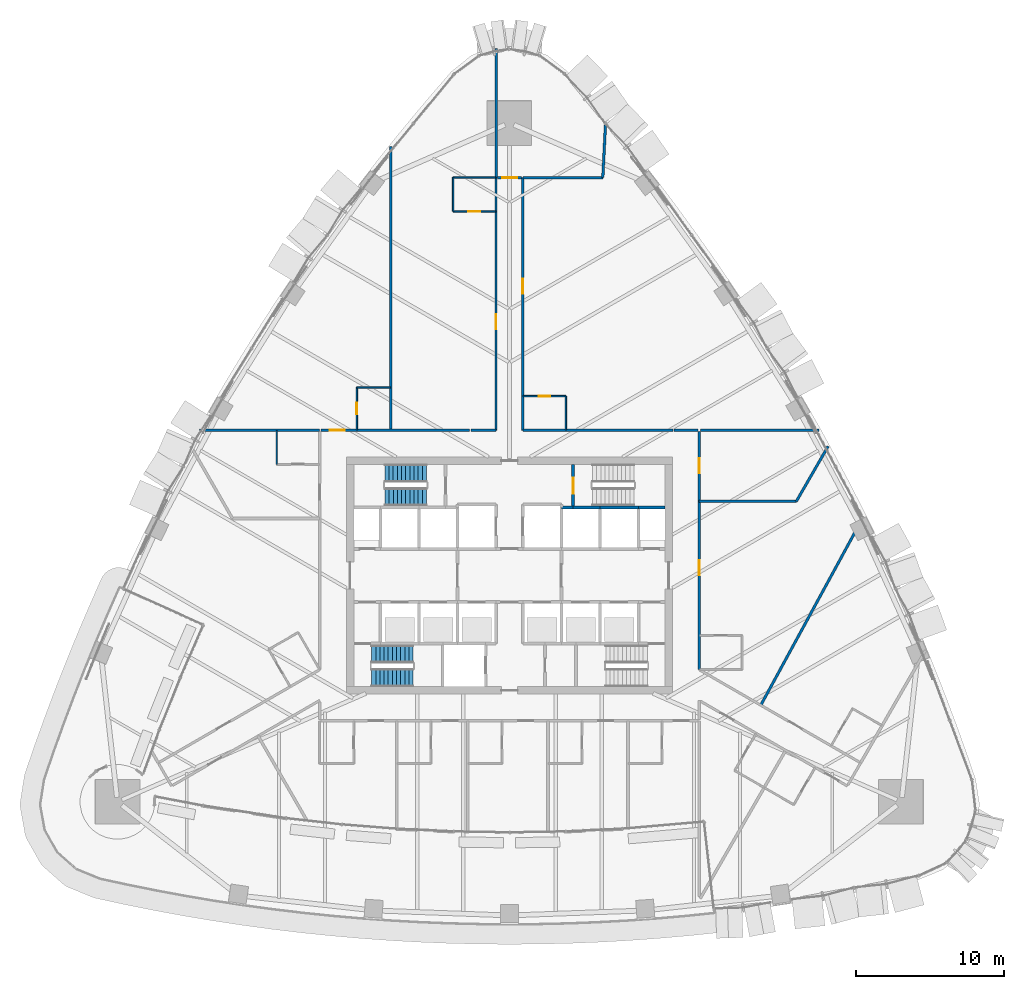
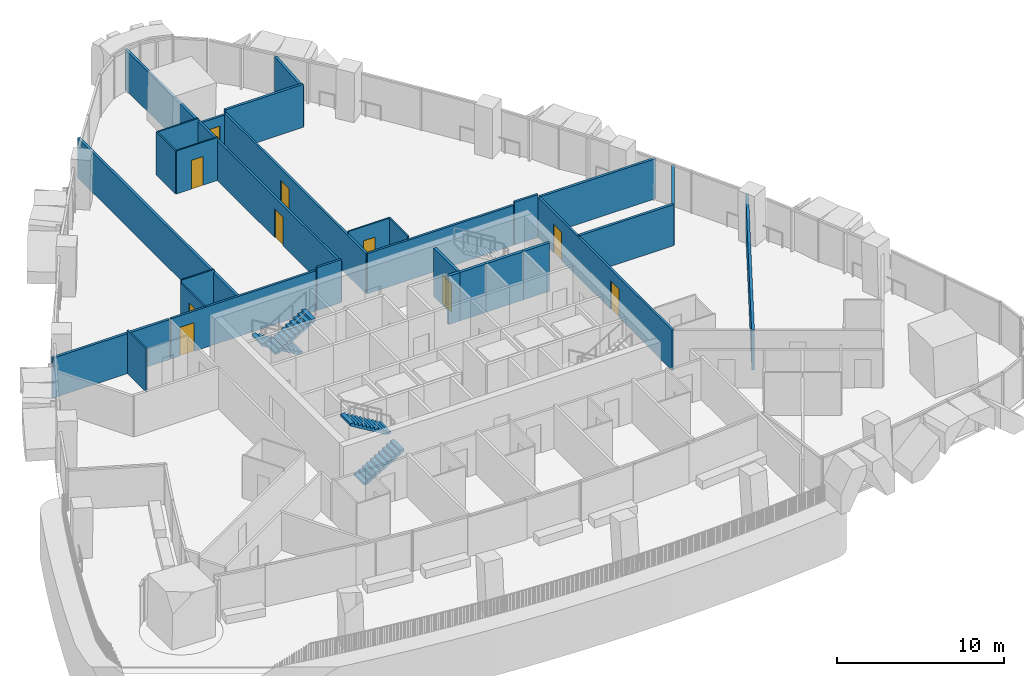
# One storey, part 15 of 22: 30 walls, 10 doors, 4 stair flights, 10 openings, 2 elements without a shape of their own.
"""IFC4 building model written with IfcOpenShell, lengths in metres."""

from ifc_helpers import new_model, si_unit, direction, frame, frame_2d, origin, place, context, subcontext, project, spatial, polyline, rectangle, outline, extrude, material, layer, layer_set, type_object, element, fill, aggregate, save


model = new_model("IFC4")

# Units and contexts
model_context = context("Model", 3, precision=1e-05, world=origin(), true_north=direction((0.0, 1.0)))
body_context = subcontext(model_context, "Body", "Model", "MODEL_VIEW")
ifc_project = project(units=[si_unit("LENGTHUNIT", "METRE"), si_unit("AREAUNIT", "SQUARE_METRE"), si_unit("VOLUMEUNIT", "CUBIC_METRE"), si_unit("PLANEANGLEUNIT", "RADIAN"), si_unit("MASSUNIT", "GRAM", prefix="KILO")], contexts=[model_context])

# Site, building, storey
site_placement = place(None, origin())
site = spatial("IfcSite", under=ifc_project, at=site_placement, CompositionType="ELEMENT")
building_placement = place(site_placement, origin())
building = spatial("IfcBuilding", under=site, at=building_placement, Name="Sierra Prisma Convention Tower", CompositionType="ELEMENT")
storey_placement = place(building_placement, frame((0.0, 0.0, 73.89990234375)))
storey = spatial("IfcBuildingStorey", under=building, at=storey_placement, Name="L14", CompositionType="ELEMENT", Elevation=73.89990234375)

# Wall
ifc_material_1 = material(Name="Gypsum board partition", Category="gypsum")
ifc_layer_1 = layer(ifc_material_1, 0.10009765625)
ifc_layer_set_1 = layer_set([ifc_layer_1], Name="Bathroom partition 100")
wall_type_1 = type_object("IfcWallType", Name="Bathroom partition 100", PredefinedType="PARTITIONING", material=ifc_layer_set_1)
wall_1_placement = place(storey_placement, frame((-15.699951171875, 7.5, 0.0), z_axis=(0.0, 0.0, 1.0), x_axis=(0.0, 1.0, 0.0)))
element("IfcWall", 1, at=wall_1_placement, inside=storey, type_object=wall_type_1, Name="Partition L14 bath 2", PredefinedType="PARTITIONING", context=body_context, shape_type="SweptSolid", body=[
    extrude(rectangle(XDim=2.27001953125, YDim=0.10009765625, at=frame_2d((1.135009765625, 0.0))), origin(), (0.0, 0.0, 1.0), 3.150146484375),
])

# Wall, opening, door
wall_2_placement = place(storey_placement, frame((-10.300048828125, 9.830078125, 0.0), z_axis=(0.0, 0.0, 1.0), x_axis=(0.0, 1.0, 0.0)))
wall_2 = element("IfcWall", 2, at=wall_2_placement, inside=storey, type_object=wall_type_1, Name="Partition L14 bath 9", PredefinedType="PARTITIONING", context=body_context, shape_type="SweptSolid", body=[
    extrude(rectangle(XDim=2.869873046875, YDim=0.10009765625, at=frame_2d((1.43505859375, 0.0))), origin(), (0.0, 0.0, 1.0), 2.947021484375),
])
opening_1_placement = place(wall_2_placement, frame((1.034912109375, 0.0, 0.0)))
opening_1 = element("IfcOpeningElement", 3, at=opening_1_placement, cuts=wall_2, Name="Opening L14-D006", PredefinedType="OPENING", context=body_context, shape_type="SweptSolid", body=[
    extrude(rectangle(XDim=0.800048828125, YDim=2.10009765625, at=frame_2d((0.39990234375, 1.050048828125))), frame((0.0, 0.050048828125, 0.0), z_axis=(0.0, -1.0, 0.0), x_axis=(1.0, 0.0, 0.0)), (0.0, 0.0, 1.0), 0.10009765625),
])
ifc_material_2 = material(Name="Solid core timber door leaf", Category="wood")
door_type_1 = type_object("IfcDoorType", Name="Door 800x2100 plain", OperationType="SINGLE_SWING_LEFT", PredefinedType="DOOR", material=ifc_material_2)
door_1_placement = place(opening_1_placement, origin())
door_1 = element("IfcDoor", 4, at=door_1_placement, inside=storey, type_object=door_type_1, Name="Door L14 8", OperationType="SINGLE_SWING_LEFT", OverallHeight=2.10009765625, OverallWidth=0.800048828125, PredefinedType="DOOR", context=body_context, shape_type="SweptSolid", body=[
    extrude(rectangle(XDim=0.800048828125, YDim=2.10009765625, at=frame_2d((0.39990234375, 1.050048828125))), frame((0.0, 0.02490234375, 0.0), z_axis=(0.0, -1.0, 0.0), x_axis=(1.0, 0.0, 0.0)), (0.0, 0.0, 1.0), 0.050048828125),
])
fill(opening_1, door_1)

# Wall
wall_3_placement = place(storey_placement, frame((-10.300048828125, 12.699951171875, 0.0), z_axis=(0.0, 0.0, 1.0), x_axis=(1.0, 0.0, 0.0)))
element("IfcWall", 5, at=wall_3_placement, inside=storey, type_object=wall_type_1, Name="Partition L14 bath 10", PredefinedType="PARTITIONING", context=body_context, shape_type="SweptSolid", body=[
    extrude(rectangle(XDim=2.27001953125, YDim=0.10009765625, at=frame_2d((1.135009765625, 0.0))), origin(), (0.0, 0.0, 1.0), 3.150146484375),
])

# Wall, opening, door
wall_4_placement = place(storey_placement, frame((-0.929931640625, 24.5615234375, 0.0), z_axis=(0.0, 0.0, 1.0), x_axis=(-1.0, 0.0, 0.0)))
wall_4 = element("IfcWall", 6, at=wall_4_placement, inside=storey, type_object=wall_type_1, Name="Partition L14 bath 15", PredefinedType="PARTITIONING", context=body_context, shape_type="SweptSolid", body=[
    extrude(rectangle(XDim=2.8701171875, YDim=0.10009765625, at=frame_2d((1.43505859375, 0.0))), origin(), (0.0, 0.0, 1.0), 3.150146484375),
])
opening_2_placement = place(wall_4_placement, frame((1.034912109375, 0.0, 0.0)))
opening_2 = element("IfcOpeningElement", 7, at=opening_2_placement, cuts=wall_4, Name="Opening L14-D005", PredefinedType="OPENING", context=body_context, shape_type="SweptSolid", body=[
    extrude(rectangle(XDim=0.800048828125, YDim=2.10009765625, at=frame_2d((0.39990234375, 1.050048828125))), frame((0.0, 0.050048828125, 0.0), z_axis=(0.0, -1.0, 0.0), x_axis=(1.0, 0.0, 0.0)), (0.0, 0.0, 1.0), 0.10009765625),
])
door_2_placement = place(opening_2_placement, origin())
door_2 = element("IfcDoor", 8, at=door_2_placement, inside=storey, type_object=door_type_1, Name="Door L14 6", OperationType="SINGLE_SWING_LEFT", OverallHeight=2.10009765625, OverallWidth=0.800048828125, PredefinedType="DOOR", context=body_context, shape_type="SweptSolid", body=[
    extrude(rectangle(XDim=0.800048828125, YDim=2.10009765625, at=frame_2d((0.39990234375, 1.050048828125))), frame((0.0, 0.02490234375, 0.0), z_axis=(0.0, -1.0, 0.0), x_axis=(1.0, 0.0, 0.0)), (0.0, 0.0, 1.0), 0.050048828125),
])
fill(opening_2, door_2)

# Walls
wall_5_placement = place(storey_placement, frame((-3.800048828125, 24.5615234375, 0.0), z_axis=(0.0, 0.0, 1.0), x_axis=(0.0, 1.0, 0.0)))
element("IfcWall", 9, at=wall_5_placement, inside=storey, type_object=wall_type_1, Name="Partition L14 bath 16", PredefinedType="PARTITIONING", context=body_context, shape_type="SweptSolid", body=[
    extrude(rectangle(XDim=2.300048828125, YDim=0.10009765625, at=frame_2d((1.14990234375, 0.0))), origin(), (0.0, 0.0, 1.0), 3.150146484375),
])
wall_6_placement = place(storey_placement, frame((-3.800048828125, 26.861572265625, 0.0), z_axis=(0.0, 0.0, 1.0), x_axis=(1.0, 0.0, 0.0)))
element("IfcWall", 10, at=wall_6_placement, inside=storey, type_object=wall_type_1, Name="Partition L14 bath 17", PredefinedType="PARTITIONING", context=body_context, shape_type="SweptSolid", body=[
    extrude(rectangle(XDim=2.8701171875, YDim=0.10009765625, at=frame_2d((1.43505859375, 0.0))), origin(), (0.0, 0.0, 1.0), 3.150146484375),
])

# Wall, opening, door
wall_7_placement = place(storey_placement, frame((0.929931640625, 12.10009765625, 0.0), z_axis=(0.0, 0.0, 1.0), x_axis=(1.0, 0.0, 0.0)))
wall_7 = element("IfcWall", 11, at=wall_7_placement, inside=storey, type_object=wall_type_1, Name="Partition L14 bath 18", PredefinedType="PARTITIONING", context=body_context, shape_type="SweptSolid", body=[
    extrude(rectangle(XDim=2.8701171875, YDim=0.10009765625, at=frame_2d((1.43505859375, 0.0))), origin(), (0.0, 0.0, 1.0), 3.150146484375),
])
opening_3_placement = place(wall_7_placement, frame((1.034912109375, 0.0, 0.0)))
opening_3 = element("IfcOpeningElement", 12, at=opening_3_placement, cuts=wall_7, Name="Opening L14-D004", PredefinedType="OPENING", context=body_context, shape_type="SweptSolid", body=[
    extrude(rectangle(XDim=0.800048828125, YDim=2.10009765625, at=frame_2d((0.39990234375, 1.050048828125))), frame((0.0, 0.050048828125, 0.0), z_axis=(0.0, -1.0, 0.0), x_axis=(1.0, 0.0, 0.0)), (0.0, 0.0, 1.0), 0.10009765625),
])
door_3_placement = place(opening_3_placement, origin())
door_3 = element("IfcDoor", 13, at=door_3_placement, inside=storey, type_object=door_type_1, Name="Door L14 3", OperationType="SINGLE_SWING_LEFT", OverallHeight=2.10009765625, OverallWidth=0.800048828125, PredefinedType="DOOR", context=body_context, shape_type="SweptSolid", body=[
    extrude(rectangle(XDim=0.800048828125, YDim=2.10009765625, at=frame_2d((0.39990234375, 1.050048828125))), frame((0.0, 0.02490234375, 0.0), z_axis=(0.0, -1.0, 0.0), x_axis=(1.0, 0.0, 0.0)), (0.0, 0.0, 1.0), 0.050048828125),
])
fill(opening_3, door_3)

# Walls
wall_8_placement = place(storey_placement, frame((3.800048828125, 12.10009765625, 0.0), z_axis=(0.0, 0.0, 1.0), x_axis=(0.0, -1.0, 0.0)))
element("IfcWall", 14, at=wall_8_placement, inside=storey, type_object=wall_type_1, Name="Partition L14 bath 19", PredefinedType="PARTITIONING", context=body_context, shape_type="SweptSolid", body=[
    extrude(rectangle(XDim=2.27001953125, YDim=0.10009765625, at=frame_2d((1.135009765625, 0.0))), origin(), (0.0, 0.0, 1.0), 3.150146484375),
])
ifc_material_3 = material(Name="Concrete C30/37", Category="concrete")
ifc_layer_2 = layer(ifc_material_3, 0.199951171875)
ifc_layer_set_2 = layer_set([ifc_layer_2], Name="Core wall RC 200 C30/37")
wall_type_2 = type_object("IfcWallType", Name="Core wall RC 200 C30/37", PredefinedType="SOLIDWALL", material=ifc_layer_set_2)
wall_9_placement = place(storey_placement, frame((4.300048828125, 4.60009765625, 0.0), z_axis=(0.0, 0.0, 1.0), x_axis=(-1.0, 0.0, 0.0)))
element("IfcWall", 15, at=wall_9_placement, inside=storey, type_object=wall_type_2, Name="Core wall L14 50", PredefinedType="SOLIDWALL", context=body_context, shape_type="SweptSolid", body=[
    extrude(rectangle(XDim=0.800048828125, YDim=0.199951171875, at=frame_2d((0.39990234375, 0.0))), origin(), (0.0, 0.0, 1.0), 3.550048828125),
])
wall_10_placement = place(storey_placement, frame((6.10009765625, 4.60009765625, 0.0), z_axis=(0.0, 0.0, 1.0), x_axis=(-1.0, 0.0, 0.0)))
element("IfcWall", 16, at=wall_10_placement, inside=storey, type_object=wall_type_2, Name="Core wall L14 51", PredefinedType="SOLIDWALL", context=body_context, shape_type="SweptSolid", body=[
    extrude(rectangle(XDim=1.800048828125, YDim=0.199951171875, at=frame_2d((0.89990234375, 0.0))), origin(), (0.0, 0.0, 1.0), 3.550048828125),
])

# Wall, opening, door
wall_11_placement = place(storey_placement, frame((4.300048828125, 7.5, 0.0), z_axis=(0.0, 0.0, 1.0), x_axis=(0.0, -1.0, 0.0)))
wall_11 = element("IfcWall", 17, at=wall_11_placement, inside=storey, type_object=wall_type_2, Name="Core wall L14 52", PredefinedType="SOLIDWALL", context=body_context, shape_type="SweptSolid", body=[
    extrude(rectangle(XDim=2.89990234375, YDim=0.199951171875, at=frame_2d((1.449951171875, 0.0))), origin(), (0.0, 0.0, 1.0), 3.550048828125),
])
opening_4_placement = place(wall_11_placement, frame((0.89990234375, 0.0, 0.0)))
opening_4 = element("IfcOpeningElement", 18, at=opening_4_placement, cuts=wall_11, Name="Opening L14-D038", PredefinedType="OPENING", context=body_context, shape_type="SweptSolid", body=[
    extrude(rectangle(XDim=1.10009765625, YDim=2.10009765625, at=frame_2d((0.550048828125, 1.050048828125))), frame((0.0, 0.10009765625, 0.0), z_axis=(0.0, -1.0, 0.0), x_axis=(1.0, 0.0, 0.0)), (0.0, 0.0, 1.0), 0.199951171875),
])
ifc_material_4 = material(Name="Steel fire door leaf", Category="steel")
door_type_2 = type_object("IfcDoorType", Name="Door 1100x2100 FD90S", OperationType="SINGLE_SWING_LEFT", PredefinedType="DOOR", material=ifc_material_4)
door_4_placement = place(opening_4_placement, origin())
door_4 = element("IfcDoor", 19, at=door_4_placement, inside=storey, type_object=door_type_2, Name="Door L14 52", OperationType="SINGLE_SWING_LEFT", OverallHeight=2.10009765625, OverallWidth=1.10009765625, PredefinedType="DOOR", context=body_context, shape_type="SweptSolid", body=[
    extrude(rectangle(XDim=1.10009765625, YDim=2.10009765625, at=frame_2d((0.550048828125, 1.050048828125))), frame((0.0, 0.02490234375, 0.0), z_axis=(0.0, -1.0, 0.0), x_axis=(1.0, 0.0, 0.0)), (0.0, 0.0, 1.0), 0.050048828125),
])
fill(opening_4, door_4)

# Walls
wall_12_placement = place(storey_placement, frame((8.699951171875, 4.60009765625, 0.0), z_axis=(0.0, 0.0, 1.0), x_axis=(-1.0, 0.0, 0.0)))
element("IfcWall", 20, at=wall_12_placement, inside=storey, type_object=wall_type_2, Name="Core wall L14 60", PredefinedType="SOLIDWALL", context=body_context, shape_type="SweptSolid", body=[
    extrude(rectangle(XDim=2.599853515625, YDim=0.199951171875, at=frame_2d((1.2998046875, 0.0))), origin(), (0.0, 0.0, 1.0), 3.550048828125),
])
wall_13_placement = place(storey_placement, frame((10.5, 4.60009765625, 0.0), z_axis=(0.0, 0.0, 1.0), x_axis=(-1.0, 0.0, 0.0)))
element("IfcWall", 21, at=wall_13_placement, inside=storey, type_object=wall_type_2, Name="Core wall L14 66", PredefinedType="SOLIDWALL", context=body_context, shape_type="SweptSolid", body=[
    extrude(rectangle(XDim=1.800048828125, YDim=0.199951171875, at=frame_2d((0.89990234375, 0.0))), origin(), (0.0, 0.0, 1.0), 3.550048828125),
])

# Wall, opening, door
ifc_material_5 = material(Name="Gypsum board partition", Category="gypsum")
ifc_layer_3 = layer(ifc_material_5, 0.14990234375)
ifc_layer_set_3 = layer_set([ifc_layer_3], Name="Corridor wall 150 gypsum EI 60")
wall_type_3 = type_object("IfcWallType", Name="Corridor wall 150 gypsum EI 60", PredefinedType="PARTITIONING", material=ifc_layer_set_3)
wall_14_placement = place(storey_placement, frame((-2.679931640625, 9.800048828125, 0.0), z_axis=(0.0, 0.0, 1.0), x_axis=(-1.0, 0.0, 0.0)))
wall_14 = element("IfcWall", 22, at=wall_14_placement, inside=storey, type_object=wall_type_3, Name="Partition L14 corr 7", PredefinedType="PARTITIONING", context=body_context, shape_type="SweptSolid", body=[
    extrude(rectangle(XDim=10.0400390625, YDim=0.14990234375, at=frame_2d((5.02001953125, 0.0))), origin(), (0.0, 0.0, 1.0), 2.947021484375),
])
opening_5_placement = place(wall_14_placement, frame((8.429931640625, 0.0, 0.0)))
opening_5 = element("IfcOpeningElement", 23, at=opening_5_placement, cuts=wall_14, Name="Opening L14-D044", PredefinedType="OPENING", context=body_context, shape_type="SweptSolid", body=[
    extrude(rectangle(XDim=1.0, YDim=2.10009765625, at=frame_2d((0.5, 1.050048828125))), frame((0.0, 0.074951171875, 0.0), z_axis=(0.0, -1.0, 0.0), x_axis=(1.0, 0.0, 0.0)), (0.0, 0.0, 1.0), 0.14990234375),
])
ifc_material_6 = material(Name="Steel fire door leaf", Category="steel")
door_type_3 = type_object("IfcDoorType", Name="Door 1000x2100 FD30S", OperationType="SINGLE_SWING_LEFT", PredefinedType="DOOR", material=ifc_material_6)
door_5_placement = place(opening_5_placement, origin())
door_5 = element("IfcDoor", 24, at=door_5_placement, inside=storey, type_object=door_type_3, Name="Door L14 7", OperationType="SINGLE_SWING_LEFT", OverallHeight=2.10009765625, OverallWidth=1.0, PredefinedType="DOOR", context=body_context, shape_type="SweptSolid", body=[
    extrude(rectangle(XDim=1.0, YDim=2.10009765625, at=frame_2d((0.5, 1.050048828125))), frame((0.0, 0.02490234375, 0.0), z_axis=(0.0, -1.0, 0.0), x_axis=(1.0, 0.0, 0.0)), (0.0, 0.0, 1.0), 0.050048828125),
])
fill(opening_5, door_5)

wall_15_placement = place(storey_placement, frame((-0.89990234375, 26.841552734375, 0.0), z_axis=(0.0, 0.0, 1.0), x_axis=(0.0, -1.0, 0.0)))
wall_15 = element("IfcWall", 25, at=wall_15_placement, inside=storey, type_object=wall_type_3, Name="Partition L14 corr 8", PredefinedType="PARTITIONING", context=body_context, shape_type="SweptSolid", body=[
    extrude(rectangle(XDim=17.04150390625, YDim=0.14990234375, at=frame_2d((8.520751953125, 0.0))), origin(), (0.0, 0.0, 1.0), 2.947021484375),
])
opening_6_placement = place(wall_15_placement, frame((9.210693359375, 0.0, 0.0)))
opening_6 = element("IfcOpeningElement", 26, at=opening_6_placement, cuts=wall_15, Name="Opening L14-D043", PredefinedType="OPENING", context=body_context, shape_type="SweptSolid", body=[
    extrude(rectangle(XDim=1.0, YDim=2.10009765625, at=frame_2d((0.5, 1.050048828125))), frame((0.0, 0.074951171875, 0.0), z_axis=(0.0, -1.0, 0.0), x_axis=(1.0, 0.0, 0.0)), (0.0, 0.0, 1.0), 0.14990234375),
])
door_6_placement = place(opening_6_placement, origin())
door_6 = element("IfcDoor", 27, at=door_6_placement, inside=storey, type_object=door_type_3, Name="Door L14 5", OperationType="SINGLE_SWING_RIGHT", OverallHeight=2.10009765625, OverallWidth=1.0, PredefinedType="DOOR", context=body_context, shape_type="SweptSolid", body=[
    extrude(rectangle(XDim=1.0, YDim=2.10009765625, at=frame_2d((0.5, 1.050048828125))), frame((0.0, 0.02490234375, 0.0), z_axis=(0.0, -1.0, 0.0), x_axis=(1.0, 0.0, 0.0)), (0.0, 0.0, 1.0), 0.050048828125),
])
fill(opening_6, door_6)

# Wall
wall_16_placement = place(storey_placement, frame((-0.89990234375, 9.800048828125, 0.0), z_axis=(0.0, 0.0, 1.0), x_axis=(-1.0, 0.0, 0.0)))
element("IfcWall", 28, at=wall_16_placement, inside=storey, type_object=wall_type_3, Name="Partition L14 corr 9", PredefinedType="PARTITIONING", context=body_context, shape_type="SweptSolid", body=[
    extrude(rectangle(XDim=1.7001953125, YDim=0.14990234375, at=frame_2d((0.85009765625, 0.0))), origin(), (0.0, 0.0, 1.0), 3.150146484375),
])

# Wall, opening, door
wall_17_placement = place(storey_placement, frame((0.820068359375, 26.841552734375, 0.0), z_axis=(0.0, 0.0, 1.0), x_axis=(-1.0, 0.0, 0.0)))
wall_17 = element("IfcWall", 29, at=wall_17_placement, inside=storey, type_object=wall_type_3, Name="Partition L14 corr 10", PredefinedType="PARTITIONING", context=body_context, shape_type="SweptSolid", body=[
    extrude(rectangle(XDim=1.64013671875, YDim=0.14990234375, at=frame_2d((0.820068359375, 0.0))), origin(), (0.0, 0.0, 1.0), 2.797119140625),
])
opening_7_placement = place(wall_17_placement, frame((0.31005859375, 0.0, 0.0)))
opening_7 = element("IfcOpeningElement", 30, at=opening_7_placement, cuts=wall_17, Name="Opening L14-D042", PredefinedType="OPENING", context=body_context, shape_type="SweptSolid", body=[
    extrude(rectangle(XDim=1.0, YDim=2.10009765625, at=frame_2d((0.5, 1.050048828125))), frame((0.0, 0.074951171875, 0.0), z_axis=(0.0, -1.0, 0.0), x_axis=(1.0, 0.0, 0.0)), (0.0, 0.0, 1.0), 0.14990234375),
])
door_7_placement = place(opening_7_placement, origin())
door_7 = element("IfcDoor", 31, at=door_7_placement, inside=storey, type_object=door_type_3, Name="Door L14 4", OperationType="SINGLE_SWING_LEFT", OverallHeight=2.10009765625, OverallWidth=1.0, PredefinedType="DOOR", context=body_context, shape_type="SweptSolid", body=[
    extrude(rectangle(XDim=1.0, YDim=2.10009765625, at=frame_2d((0.5, 1.050048828125))), frame((0.0, 0.02490234375, 0.0), z_axis=(0.0, -1.0, 0.0), x_axis=(1.0, 0.0, 0.0)), (0.0, 0.0, 1.0), 0.050048828125),
])
fill(opening_7, door_7)

# Wall
wall_18_placement = place(storey_placement, frame((11.02001953125, 9.800048828125, 0.0), z_axis=(0.0, 0.0, 1.0), x_axis=(-1.0, 0.0, 0.0)))
element("IfcWall", 32, at=wall_18_placement, inside=storey, type_object=wall_type_3, Name="Partition L14 corr 11", PredefinedType="PARTITIONING", context=body_context, shape_type="SweptSolid", body=[
    extrude(rectangle(XDim=10.1201171875, YDim=0.14990234375, at=frame_2d((5.06005859375, 0.0))), origin(), (0.0, 0.0, 1.0), 2.947021484375),
])

# Wall, opening, door
wall_19_placement = place(storey_placement, frame((0.89990234375, 9.800048828125, 0.0), z_axis=(0.0, 0.0, 1.0), x_axis=(0.0, 1.0, 0.0)))
wall_19 = element("IfcWall", 33, at=wall_19_placement, inside=storey, type_object=wall_type_3, Name="Partition L14 corr 12", PredefinedType="PARTITIONING", context=body_context, shape_type="SweptSolid", body=[
    extrude(rectangle(XDim=17.04150390625, YDim=0.14990234375, at=frame_2d((8.520751953125, 0.0))), origin(), (0.0, 0.0, 1.0), 2.947021484375),
])
opening_8_placement = place(wall_19_placement, frame((9.220703125, 0.0, 0.0)))
opening_8 = element("IfcOpeningElement", 34, at=opening_8_placement, cuts=wall_19, Name="Opening L14-D041", PredefinedType="OPENING", context=body_context, shape_type="SweptSolid", body=[
    extrude(rectangle(XDim=1.0, YDim=2.10009765625, at=frame_2d((0.5, 1.050048828125))), frame((0.0, 0.074951171875, 0.0), z_axis=(0.0, -1.0, 0.0), x_axis=(1.0, 0.0, 0.0)), (0.0, 0.0, 1.0), 0.14990234375),
])
door_8_placement = place(opening_8_placement, origin())
door_8 = element("IfcDoor", 35, at=door_8_placement, inside=storey, type_object=door_type_3, Name="Door L14 2", OperationType="SINGLE_SWING_LEFT", OverallHeight=2.10009765625, OverallWidth=1.0, PredefinedType="DOOR", context=body_context, shape_type="SweptSolid", body=[
    extrude(rectangle(XDim=1.0, YDim=2.10009765625, at=frame_2d((0.5, 1.050048828125))), frame((0.0, 0.02490234375, 0.0), z_axis=(0.0, -1.0, 0.0), x_axis=(1.0, 0.0, 0.0)), (0.0, 0.0, 1.0), 0.050048828125),
])
fill(opening_8, door_8)

# Wall
wall_20_placement = place(storey_placement, frame((12.719970703125, 9.800048828125, 0.0), z_axis=(0.0, 0.0, 1.0), x_axis=(-1.0, 0.0, 0.0)))
element("IfcWall", 36, at=wall_20_placement, inside=storey, type_object=wall_type_3, Name="Partition L14 corr 13", PredefinedType="PARTITIONING", context=body_context, shape_type="SweptSolid", body=[
    extrude(rectangle(XDim=1.619873046875, YDim=0.14990234375, at=frame_2d((0.81005859375, 0.0))), origin(), (0.0, 0.0, 1.0), 3.150146484375),
])

# Wall, openings, doors
wall_21_placement = place(storey_placement, frame((12.800048828125, -6.350830078125, 0.0), z_axis=(0.0, 0.0, 1.0), x_axis=(0.0, 1.0, 0.0)))
wall_21 = element("IfcWall", 37, at=wall_21_placement, inside=storey, type_object=wall_type_3, Name="Partition L14 corr 18", PredefinedType="PARTITIONING", context=body_context, shape_type="SweptSolid", body=[
    extrude(rectangle(XDim=16.07080078125, YDim=0.14990234375, at=frame_2d((8.035400390625, 0.0))), origin(), (0.0, 0.0, 1.0), 2.947021484375),
])
opening_9_placement = place(wall_21_placement, frame((13.2509765625, 0.0, 0.0)))
opening_9 = element("IfcOpeningElement", 38, at=opening_9_placement, cuts=wall_21, Name="Opening L14-D040", PredefinedType="OPENING", context=body_context, shape_type="SweptSolid", body=[
    extrude(rectangle(XDim=1.0, YDim=2.10009765625, at=frame_2d((0.5, 1.050048828125))), frame((0.0, 0.074951171875, 0.0), z_axis=(0.0, -1.0, 0.0), x_axis=(1.0, 0.0, 0.0)), (0.0, 0.0, 1.0), 0.14990234375),
])
opening_10_placement = place(wall_21_placement, frame((6.37548828125, 0.0, 0.0)))
opening_10 = element("IfcOpeningElement", 39, at=opening_10_placement, cuts=wall_21, Name="Opening L14-D056", PredefinedType="OPENING", context=body_context, shape_type="SweptSolid", body=[
    extrude(rectangle(XDim=1.0, YDim=2.10009765625, at=frame_2d((0.5, 1.050048828125))), frame((0.0, 0.074951171875, 0.0), z_axis=(0.0, -1.0, 0.0), x_axis=(1.0, 0.0, 0.0)), (0.0, 0.0, 1.0), 0.14990234375),
])
door_9_placement = place(opening_9_placement, origin())
door_9 = element("IfcDoor", 40, at=door_9_placement, inside=storey, type_object=door_type_3, Name="Door L14 1", OperationType="SINGLE_SWING_LEFT", OverallHeight=2.10009765625, OverallWidth=1.0, PredefinedType="DOOR", context=body_context, shape_type="SweptSolid", body=[
    extrude(rectangle(XDim=1.0, YDim=2.10009765625, at=frame_2d((0.5, 1.050048828125))), frame((0.0, 0.02490234375, 0.0), z_axis=(0.0, -1.0, 0.0), x_axis=(1.0, 0.0, 0.0)), (0.0, 0.0, 1.0), 0.050048828125),
])
fill(opening_9, door_9)
door_10_placement = place(opening_10_placement, origin())
door_10 = element("IfcDoor", 41, at=door_10_placement, inside=storey, type_object=door_type_3, Name="Door L14 30", OperationType="SINGLE_SWING_LEFT", OverallHeight=2.10009765625, OverallWidth=1.0, PredefinedType="DOOR", context=body_context, shape_type="SweptSolid", body=[
    extrude(rectangle(XDim=1.0, YDim=2.10009765625, at=frame_2d((0.5, 1.050048828125))), frame((0.0, 0.02490234375, 0.0), z_axis=(0.0, -1.0, 0.0), x_axis=(1.0, 0.0, 0.0)), (0.0, 0.0, 1.0), 0.050048828125),
])
fill(opening_10, door_10)

# Walls
ifc_material_7 = material(Name="Acoustic gypsum board partition", Category="gypsum")
ifc_layer_4 = layer(ifc_material_7, 0.175048828125)
ifc_layer_set_4 = layer_set([ifc_layer_4], Name="Guest room party wall 175 acoustic EI 60")
wall_type_4 = type_object("IfcWallType", Name="Guest room party wall 175 acoustic EI 60", PredefinedType="PARTITIONING", material=ifc_layer_set_4)
wall_22_placement = place(storey_placement, frame((-12.800048828125, 9.800048828125, 0.0), z_axis=(0.0, 0.0, 1.0), x_axis=(-1.0, 0.0, 0.0)))
element("IfcWall", 42, at=wall_22_placement, inside=storey, type_object=wall_type_4, Name="Partition L14 hparty 4", PredefinedType="PARTITIONING", context=body_context, shape_type="SweptSolid", body=[
    extrude(rectangle(XDim=8.099853515625, YDim=0.175048828125, at=frame_2d((4.0498046875, 0.0))), origin(), (0.0, 0.0, 1.0), 2.93408203125),
])
wall_23_placement = place(storey_placement, frame((-8.0, 9.800048828125, 0.0), z_axis=(0.0, 0.0, 1.0), x_axis=(0.0, 1.0, 0.0)))
element("IfcWall", 43, at=wall_23_placement, inside=storey, type_object=wall_type_4, Name="Partition L14 hparty 6", PredefinedType="PARTITIONING", context=body_context, shape_type="SweptSolid", body=[
    extrude(rectangle(XDim=19.156005859375, YDim=0.175048828125, at=frame_2d((9.578125, 0.0))), origin(), (0.0, 0.0, 1.0), 2.93408203125),
])
wall_24_placement = place(storey_placement, frame((-0.89990234375, 35.561767578125, 0.0), z_axis=(0.0, 0.0, 1.0), x_axis=(0.0, -1.0, 0.0)))
element("IfcWall", 44, at=wall_24_placement, inside=storey, type_object=wall_type_4, Name="Partition L14 hparty 9", PredefinedType="PARTITIONING", context=body_context, shape_type="SweptSolid", body=[
    extrude(rectangle(XDim=8.72021484375, YDim=0.175048828125, at=frame_2d((4.360107421875, 0.0))), origin(), (0.0, 0.0, 1.0), 2.93408203125),
])
wall_25_placement = place(storey_placement, frame((0.89990234375, 26.841552734375, 0.0), z_axis=(0.0, 0.0, 1.0), x_axis=(1.0, 0.0, 0.0)))
element("IfcWall", 45, at=wall_25_placement, inside=storey, type_object=wall_type_4, Name="Partition L14 hparty 10", PredefinedType="PARTITIONING", context=body_context, shape_type="SweptSolid", body=[
    extrude(rectangle(XDim=5.400146484375, YDim=0.175048828125, at=frame_2d((2.7001953125, 0.0))), origin(), (0.0, 0.0, 1.0), 3.150146484375),
])
wall_26_placement = place(storey_placement, frame((6.300048828125, 26.841552734375, 0.0), z_axis=(0.0, 0.0, 1.0), x_axis=(0.049548494215, 0.998771719023, 0.0)))
element("IfcWall", 46, at=wall_26_placement, inside=storey, type_object=wall_type_4, Name="Partition L14 hparty 11", PredefinedType="PARTITIONING", context=body_context, shape_type="SweptSolid", body=[
    extrude(rectangle(XDim=3.5673828125, YDim=0.175048828125, at=frame_2d((1.78369140625, 0.0))), origin(), (0.0, 0.0, 1.0), 2.93408203125),
])
wall_27_placement = place(storey_placement, frame((12.800048828125, 5.0, 0.0), z_axis=(0.0, 0.0, 1.0), x_axis=(1.0, 0.0, 0.0)))
element("IfcWall", 47, at=wall_27_placement, inside=storey, type_object=wall_type_4, Name="Partition L14 hparty 15", PredefinedType="PARTITIONING", context=body_context, shape_type="SweptSolid", body=[
    extrude(rectangle(XDim=6.553466796875, YDim=0.175048828125, at=frame_2d((3.27685546875, 0.0))), origin(), (0.0, 0.0, 1.0), 3.01708984375),
])
wall_28_placement = place(storey_placement, frame((19.353515625, 5.0, 0.0), z_axis=(0.0, 0.0, 1.0), x_axis=(0.499978750566, 0.866037671803, 0.0)))
element("IfcWall", 48, at=wall_28_placement, inside=storey, type_object=wall_type_4, Name="Partition L14 hparty 16", PredefinedType="PARTITIONING", context=body_context, shape_type="SweptSolid", body=[
    extrude(rectangle(XDim=4.287841796875, YDim=0.175048828125, at=frame_2d((2.14404296875, 0.0))), origin(), (0.0, 0.0, 1.0), 2.93408203125),
])
wall_29_placement = place(storey_placement, frame((20.89990234375, 9.800048828125, 0.0), z_axis=(0.0, 0.0, 1.0), x_axis=(-1.0, 0.0, 0.0)))
element("IfcWall", 49, at=wall_29_placement, inside=storey, type_object=wall_type_4, Name="Partition L14 hparty 18", PredefinedType="PARTITIONING", context=body_context, shape_type="SweptSolid", body=[
    extrude(rectangle(XDim=8.02001953125, YDim=0.175048828125, at=frame_2d((4.010009765625, 0.0))), origin(), (0.0, 0.0, 1.0), 2.93408203125),
])
wall_30_placement = place(storey_placement, frame((16.956787109375, -8.7509765625, 0.0), z_axis=(0.0, 0.0, 1.0), x_axis=(0.478298198166, 0.878197491246, 0.0)))
element("IfcWall", 50, at=wall_30_placement, inside=storey, type_object=wall_type_4, Name="Partition L14 hparty 19", PredefinedType="PARTITIONING", context=body_context, shape_type="SweptSolid", body=[
    extrude(rectangle(XDim=14.2998046875, YDim=0.175048828125, at=frame_2d((7.14990234375, 0.0))), origin(), (0.0, 0.0, 1.0), 2.947021484375),
])

# Stair, stair flights
ifc_material_8 = material(Name="Concrete C30/37", Category="concrete")
stair_type = type_object("IfcStairType", Name="Stair dog-leg 1200 RC", PredefinedType="HALF_TURN_STAIR", material=ifc_material_8)
stair_1_placement = place(storey_placement, origin())
stair_1 = element("IfcStair", 51, at=stair_1_placement, inside=storey, type_object=stair_type, Name="L14 S1", PredefinedType="HALF_TURN_STAIR")
ifc_material_9 = material(Name="Concrete C30/37", Category="concrete")
stair_flight_type = type_object("IfcStairFlightType", Name="Stair flight RC 1200", PredefinedType="STRAIGHT", material=ifc_material_9)
stair_flight_1_placement = place(storey_placement, frame((-9.300048828125, -6.89990234375, 0.0), z_axis=(0.0, 0.0, 1.0), x_axis=(1.0, 0.0, 0.0)))
stair_flight_1 = element("IfcStairFlight", 52, at=stair_flight_1_placement, type_object=stair_flight_type, Name="S1 flight 1", NumberOfRisers=11, NumberOfTreads=10, PredefinedType="STRAIGHT", RiserHeight=0.168181818, TreadLength=0.28, context=body_context, shape_type="SweptSolid", body=[
    extrude(outline(polyline([(0.0, 0.0), (0.0, 0.168212890625), (0.280029296875, 0.168212890625), (0.280029296875, 0.33642578125), (0.56005859375, 0.33642578125), (0.56005859375, 0.504638671875), (0.840087890625, 0.504638671875), (0.840087890625, 0.672607421875), (1.1201171875, 0.672607421875), (1.1201171875, 0.8408203125), (1.39990234375, 0.8408203125), (1.39990234375, 1.009033203125), (1.679931640625, 1.009033203125), (1.679931640625, 1.17724609375), (1.9599609375, 1.17724609375), (1.9599609375, 1.345458984375), (2.239990234375, 1.345458984375), (2.239990234375, 1.513671875), (2.52001953125, 1.513671875), (2.52001953125, 1.681884765625), (2.800048828125, 1.681884765625), (2.800048828125, 1.85009765625), (2.800048828125, 1.5068359375), (0.291015625, 0.0), (0.0, 0.0)])), frame((0.0, 0.60009765625, 0.0), z_axis=(0.0, -1.0, 0.0), x_axis=(1.0, 0.0, 0.0)), (0.0, 0.0, 1.0), 1.199951171875),
])
stair_flight_2_placement = place(storey_placement, frame((-6.5, -5.300048828125, 1.85009765625), z_axis=(0.0, 0.0, 1.0), x_axis=(-1.0, 0.0, 0.0)))
stair_flight_2 = element("IfcStairFlight", 53, at=stair_flight_2_placement, type_object=stair_flight_type, Name="S1 flight 2", NumberOfRisers=11, NumberOfTreads=10, PredefinedType="STRAIGHT", RiserHeight=0.168181818, TreadLength=0.28, context=body_context, shape_type="SweptSolid", body=[
    extrude(outline(polyline([(0.0, 0.0), (0.0, 0.168212890625), (0.280029296875, 0.168212890625), (0.280029296875, 0.33642578125), (0.56005859375, 0.33642578125), (0.56005859375, 0.504638671875), (0.840087890625, 0.504638671875), (0.840087890625, 0.672607421875), (1.1201171875, 0.672607421875), (1.1201171875, 0.8408203125), (1.39990234375, 0.8408203125), (1.39990234375, 1.009033203125), (1.679931640625, 1.009033203125), (1.679931640625, 1.17724609375), (1.9599609375, 1.17724609375), (1.9599609375, 1.345458984375), (2.239990234375, 1.345458984375), (2.239990234375, 1.513671875), (2.52001953125, 1.513671875), (2.52001953125, 1.681884765625), (2.800048828125, 1.681884765625), (2.800048828125, 1.85009765625), (2.800048828125, 1.5068359375), (0.291015625, 0.0), (0.0, 0.0)])), frame((0.0, 0.60009765625, 0.0), z_axis=(0.0, -1.0, 0.0), x_axis=(1.0, 0.0, 0.0)), (0.0, 0.0, 1.0), 1.199951171875),
])
aggregate(stair_1, [stair_flight_1, stair_flight_2])

stair_2_placement = place(storey_placement, origin())
stair_2 = element("IfcStair", 54, at=stair_2_placement, inside=storey, type_object=stair_type, Name="L14 S3", PredefinedType="HALF_TURN_STAIR")
stair_flight_3_placement = place(storey_placement, frame((-5.60009765625, 6.89990234375, 0.0), z_axis=(0.0, 0.0, 1.0), x_axis=(-1.0, 0.0, 0.0)))
stair_flight_3 = element("IfcStairFlight", 55, at=stair_flight_3_placement, type_object=stair_flight_type, Name="S3 flight 1", NumberOfRisers=11, NumberOfTreads=10, PredefinedType="STRAIGHT", RiserHeight=0.168181818, TreadLength=0.28, context=body_context, shape_type="SweptSolid", body=[
    extrude(outline(polyline([(0.0, 0.0), (0.0, 0.168212890625), (0.280029296875, 0.168212890625), (0.280029296875, 0.33642578125), (0.56005859375, 0.33642578125), (0.56005859375, 0.504638671875), (0.840087890625, 0.504638671875), (0.840087890625, 0.672607421875), (1.1201171875, 0.672607421875), (1.1201171875, 0.8408203125), (1.39990234375, 0.8408203125), (1.39990234375, 1.009033203125), (1.679931640625, 1.009033203125), (1.679931640625, 1.17724609375), (1.9599609375, 1.17724609375), (1.9599609375, 1.345458984375), (2.239990234375, 1.345458984375), (2.239990234375, 1.513671875), (2.52001953125, 1.513671875), (2.52001953125, 1.681884765625), (2.800048828125, 1.681884765625), (2.800048828125, 1.85009765625), (2.800048828125, 1.5068359375), (0.291015625, 0.0), (0.0, 0.0)])), frame((0.0, 0.60009765625, 0.0), z_axis=(0.0, -1.0, 0.0), x_axis=(1.0, 0.0, 0.0)), (0.0, 0.0, 1.0), 1.199951171875),
])
stair_flight_4_placement = place(storey_placement, frame((-8.39990234375, 5.300048828125, 1.85009765625), z_axis=(0.0, 0.0, 1.0), x_axis=(1.0, 0.0, 0.0)))
stair_flight_4 = element("IfcStairFlight", 56, at=stair_flight_4_placement, type_object=stair_flight_type, Name="S3 flight 2", NumberOfRisers=11, NumberOfTreads=10, PredefinedType="STRAIGHT", RiserHeight=0.168181818, TreadLength=0.28, context=body_context, shape_type="SweptSolid", body=[
    extrude(outline(polyline([(0.0, 0.0), (0.0, 0.168212890625), (0.280029296875, 0.168212890625), (0.280029296875, 0.33642578125), (0.56005859375, 0.33642578125), (0.56005859375, 0.504638671875), (0.840087890625, 0.504638671875), (0.840087890625, 0.672607421875), (1.1201171875, 0.672607421875), (1.1201171875, 0.8408203125), (1.39990234375, 0.8408203125), (1.39990234375, 1.009033203125), (1.679931640625, 1.009033203125), (1.679931640625, 1.17724609375), (1.9599609375, 1.17724609375), (1.9599609375, 1.345458984375), (2.239990234375, 1.345458984375), (2.239990234375, 1.513671875), (2.52001953125, 1.513671875), (2.52001953125, 1.681884765625), (2.800048828125, 1.681884765625), (2.800048828125, 1.85009765625), (2.800048828125, 1.5068359375), (0.291015625, 0.0), (0.0, 0.0)])), frame((0.0, 0.60009765625, 0.0), z_axis=(0.0, -1.0, 0.0), x_axis=(1.0, 0.0, 0.0)), (0.0, 0.0, 1.0), 1.199951171875),
])
aggregate(stair_2, [stair_flight_3, stair_flight_4])

save(model, "model.ifc")
